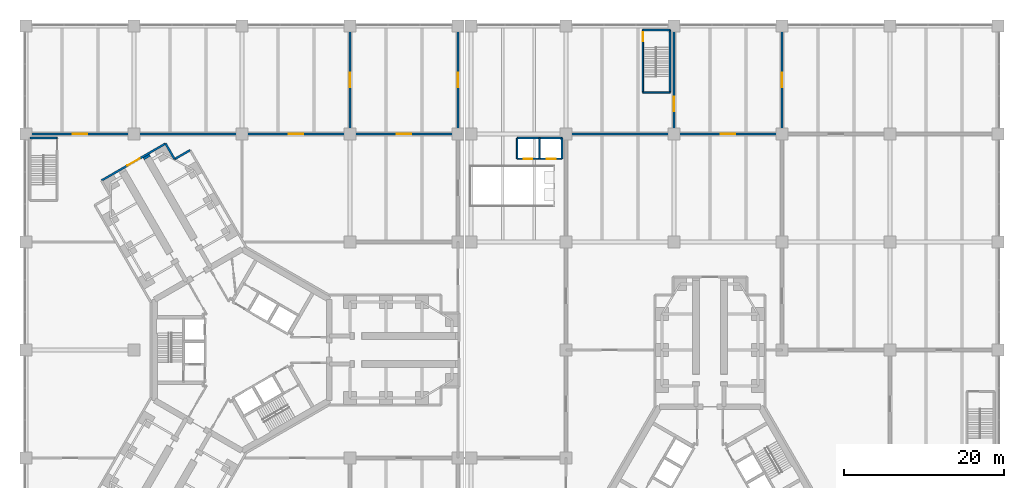
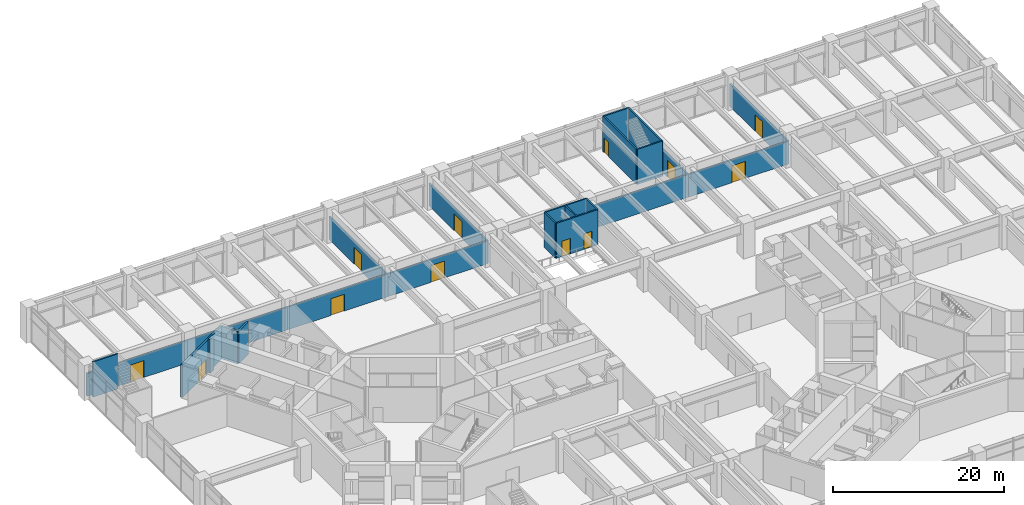
# One storey, part 28 of 31: 24 walls, 12 doors, 12 openings.
"""IFC4 building model written with IfcOpenShell, lengths in metres."""

import ifcopenshell
import ifcopenshell.guid

model = None  # the IFC model being written
_history = None  # IfcOwnerHistory: only IFC2X3 demands one
_inside = {}  # id of a spatial element -> (the spatial element, [elements in it])
_under = {}  # id of a project, library or spatial element -> (it, [spatial elements below it])
_declared = {}  # id of a project -> (the project, [libraries it declares])
_typed = {}  # id of a type object -> (the type object, [elements of that type])
_made_of = {}  # id of a material, layer set ... -> (it, [elements and type objects made of it])


def new_model(schema):
    """Start an empty IFC model of exactly this schema.

    Asked for "IFC4X3", IfcOpenShell would pick the latest addendum, in which some entities
    have other attributes; the version numbers below select the first issue.
    IFC2X3 requires an IfcOwnerHistory on every rooted entity: one is made here for all.
    """
    global model, _history
    if schema == "IFC4X3":
        model = ifcopenshell.file(schema_version=(4, 3, 0, 0))
    else:
        model = ifcopenshell.file(schema=schema)
    _inside.clear()
    _under.clear()
    _declared.clear()
    _typed.clear()
    _made_of.clear()
    _history = None
    if model.schema == "IFC2X3":
        org = make("IfcOrganization", Name="unknown")
        user = make(
            "IfcPersonAndOrganization",
            ThePerson=make("IfcPerson", FamilyName="unknown"),
            TheOrganization=org,
        )
        app = make(
            "IfcApplication",
            ApplicationDeveloper=org,
            Version="unknown",
            ApplicationFullName="unknown",
            ApplicationIdentifier="unknown",
        )
        _history = make(
            "IfcOwnerHistory",
            OwningUser=user,
            OwningApplication=app,
            ChangeAction="ADDED",
            CreationDate=0,
        )
    return model


def make(cls, **values):
    """One entity of the class cls with the attributes given. An attribute that is None is left unset."""
    return model.create_entity(
        cls, **{name: value for name, value in values.items() if value is not None}
    )


def rooted(cls, **values):
    """An entity with a GlobalId (a new one), such as an element, a storey or a relation."""
    return make(cls, GlobalId=ifcopenshell.guid.new(), OwnerHistory=_history, **values)


def si_unit(unit_type, name, prefix=None):
    """IfcSIUnit, for example si_unit("LENGTHUNIT", "METRE", prefix="MILLI")."""
    return make("IfcSIUnit", UnitType=unit_type, Prefix=prefix, Name=name)


def assignment(units):
    """IfcUnitAssignment: the units of a project."""
    return None if units is None else make("IfcUnitAssignment", Units=units)


def point(xyz):
    """IfcCartesianPoint."""
    return None if xyz is None else make("IfcCartesianPoint", Coordinates=xyz)


def direction(xyz):
    """IfcDirection."""
    return None if xyz is None else make("IfcDirection", DirectionRatios=xyz)


def frame(location, z_axis=None, x_axis=None):
    """IfcAxis2Placement3D, a coordinate frame: its origin and axes. An axis left out is left unset."""
    return make(
        "IfcAxis2Placement3D",
        Location=point(location),
        Axis=direction(z_axis),
        RefDirection=direction(x_axis),
    )


def frame_2d(location, x_axis=None):
    """IfcAxis2Placement2D, a coordinate frame in the plane: its origin and x axis."""
    return make(
        "IfcAxis2Placement2D", Location=point(location), RefDirection=direction(x_axis)
    )


def origin():
    """The frame at (0, 0, 0) with its axes left unset."""
    return frame((0.0, 0.0, 0.0))


def place(relative_to, where):
    """IfcLocalPlacement: puts the frame where relative to a parent placement (None: the world)."""
    return make(
        "IfcLocalPlacement", PlacementRelTo=relative_to, RelativePlacement=where
    )


def context(
    kind, dimensions, precision=None, world=None, true_north=None, identifier=None
):
    """IfcGeometricRepresentationContext, for example the 3D "Model" context."""
    return make(
        "IfcGeometricRepresentationContext",
        ContextIdentifier=identifier,
        ContextType=kind,
        CoordinateSpaceDimension=dimensions,
        Precision=precision,
        WorldCoordinateSystem=world,
        TrueNorth=true_north,
    )


def subcontext(parent, identifier, kind, view, scale=None):
    """IfcGeometricRepresentationSubContext, for example "Body" below "Model"."""
    return make(
        "IfcGeometricRepresentationSubContext",
        ContextIdentifier=identifier,
        ContextType=kind,
        ParentContext=parent,
        TargetScale=scale,
        TargetView=view,
    )


def project(units=None, contexts=None):
    """IfcProject with its units and contexts."""
    return rooted(
        "IfcProject",
        Name="project",
        RepresentationContexts=contexts,
        UnitsInContext=assignment(units),
    )


def spatial(cls, under=None, at=None, **own):
    """A site, building, storey or space (cls), placed at a placement, below another one or the project."""
    s = rooted(cls, ObjectPlacement=at, **own)
    if under is not None:
        _under.setdefault(under.id(), (under, []))[1].append(s)
    return s


def profile(cls, at=None, kind="AREA", **sizes):
    """A parametric profile (cls). Its sizes go by their IFC names, for example OverallWidth=200.0."""
    return make(cls, ProfileType=kind, Position=at, **sizes)


def rectangle(**sizes):
    """IfcRectangleProfileDef."""
    return profile("IfcRectangleProfileDef", **sizes)


def extrude(swept, where, along, depth):
    """IfcExtrudedAreaSolid: the profile swept, set in the frame where, extruded along a direction by depth."""
    return make(
        "IfcExtrudedAreaSolid",
        SweptArea=swept,
        Position=where,
        ExtrudedDirection=direction(along),
        Depth=depth,
    )


def shape(context_of_items, identifier, shape_type, items):
    """IfcShapeRepresentation: the items that make up one representation, for example the "Body"."""
    return make(
        "IfcShapeRepresentation",
        ContextOfItems=context_of_items,
        RepresentationIdentifier=identifier,
        RepresentationType=shape_type,
        Items=items,
    )


def material(Name=None, Category=None):
    """IfcMaterial."""
    return make("IfcMaterial", Name=Name, Category=Category)


def layer(
    of_material, thickness, ventilated=None, Name=None, Category=None, Priority=None
):
    """IfcMaterialLayer: one layer of a wall or slab, of a material (None: an air gap)."""
    return make(
        "IfcMaterialLayer",
        Material=of_material,
        LayerThickness=thickness,
        IsVentilated=ventilated,
        Name=Name,
        Category=Category,
        Priority=Priority,
    )


def layer_set(layers, Name=None):
    """IfcMaterialLayerSet."""
    return make("IfcMaterialLayerSet", MaterialLayers=layers, LayerSetName=Name)


def made_of(thing, what):
    """Note that an element or type object is made of a material, layer set ...; save() writes the relation."""
    if what is not None:
        _made_of.setdefault(what.id(), (what, []))[1].append(thing)
    return thing


def type_object(cls, material=None, **own):
    """A type object (cls), such as IfcWallType, which elements share."""
    return made_of(rooted(cls, **own), material)


def element(
    cls,
    number,
    at=None,
    inside=None,
    cuts=None,
    type_object=None,
    material=None,
    context=None,
    identifier="Body",
    shape_type=None,
    held_by="IfcProductDefinitionShape",
    body=None,
    shapes=None,
    **own,
):
    """One element of the class cls, such as IfcWall. Its Tag is "e" and its number.

    at: its placement. inside: the storey or other place that contains it. cuts: it is an
    opening in that element (IfcRelVoidsElement). A single representation is given by context,
    identifier, shape_type and body (its items); several are given by shapes. held_by: the class
    of the entity that holds the representations. save() writes the other relations.
    """
    e = rooted(cls, Tag="e%d" % number, ObjectPlacement=at, **own)
    if body is not None:
        shapes = [shape(context, identifier, shape_type, body)]
    if shapes is not None:
        e.Representation = make(held_by, Representations=shapes)
    if inside is not None:
        _inside.setdefault(inside.id(), (inside, []))[1].append(e)
    if cuts is not None:
        rooted(
            "IfcRelVoidsElement", RelatingBuildingElement=cuts, RelatedOpeningElement=e
        )
    if type_object is not None:
        _typed.setdefault(type_object.id(), (type_object, []))[1].append(e)
    return made_of(e, material)


def fill(opening, filler):
    """IfcRelFillsElement: the door or window that sits in an opening."""
    return rooted(
        "IfcRelFillsElement",
        RelatingOpeningElement=opening,
        RelatedBuildingElement=filler,
    )


def aggregate(whole, parts):
    """IfcRelAggregates: a whole, such as a stair, and the parts it consists of."""
    return rooted("IfcRelAggregates", RelatingObject=whole, RelatedObjects=parts)


def save(model, path):
    """Write the relations noted so far, then the file.

    IfcRelAggregates (storeys below a building ...), IfcRelContainedInSpatialStructure (elements
    in a storey), IfcRelDefinesByType, IfcRelAssociatesMaterial and IfcRelDeclares: one each for
    every whole, place, type object, material and project.
    """
    for whole, parts in _under.values():
        aggregate(whole, parts)
    for where, things in _inside.values():
        rooted(
            "IfcRelContainedInSpatialStructure",
            RelatedElements=things,
            RelatingStructure=where,
        )
    for kind, things in _typed.values():
        rooted("IfcRelDefinesByType", RelatedObjects=things, RelatingType=kind)
    for what, things in _made_of.values():
        rooted("IfcRelAssociatesMaterial", RelatedObjects=things, RelatingMaterial=what)
    for by, libraries in _declared.values():
        rooted("IfcRelDeclares", RelatingContext=by, RelatedDefinitions=libraries)
    model.write(path)


model = new_model("IFC4")

# Units and contexts
model_context = context("Model", 3, precision=1e-05, world=origin(), true_north=direction((0.0, 1.0)))
body_context = subcontext(model_context, "Body", "Model", "MODEL_VIEW")
ifc_project = project(units=[si_unit("LENGTHUNIT", "METRE"), si_unit("AREAUNIT", "SQUARE_METRE"), si_unit("VOLUMEUNIT", "CUBIC_METRE"), si_unit("PLANEANGLEUNIT", "RADIAN"), si_unit("MASSUNIT", "GRAM", prefix="KILO")], contexts=[model_context])

# Site, building, storey
site_placement = place(None, origin())
site = spatial("IfcSite", under=ifc_project, at=site_placement, CompositionType="ELEMENT")
building_placement = place(site_placement, origin())
building = spatial("IfcBuilding", under=site, at=building_placement, Name="Upepo Twin Towers", CompositionType="ELEMENT")
storey_placement = place(building_placement, frame((0.0, 0.0, 15.5)))
storey = spatial("IfcBuildingStorey", under=building, at=storey_placement, Name="L03", CompositionType="ELEMENT", Elevation=15.5)

# Wall
ifc_material_1 = material(Name="Dense concrete blockwork", Category="masonry")
ifc_layer_1 = layer(ifc_material_1, 0.89990234375)
ifc_layer_set_1 = layer_set([ifc_layer_1], Name="Buttress closer 900, blockwork with fire-stopping to the curtain wall")
wall_type_1 = type_object("IfcWallType", Name="Buttress closer 900, blockwork with fire-stopping to the curtain wall", PredefinedType="PARTITIONING", material=ifc_layer_set_1)
wall_1_placement = place(storey_placement, frame((-11.83447265625, 23.997802734375, 0.0), z_axis=(0.0, 0.0, 1.0), x_axis=(-0.499816412211, 0.866131372301, 0.0)))
element("IfcWall", 1, at=wall_1_placement, inside=storey, type_object=wall_type_1, Name="T1 L03 wing B buttress closer R", PredefinedType="PARTITIONING", context=body_context, shape_type="SweptSolid", body=[
    extrude(rectangle(XDim=0.2998046875, YDim=0.89990234375, at=frame_2d((0.14990234375, 0.0))), origin(), (0.0, 0.0, 1.0), 4.800048828125),
])

# Wall, openings, doors
ifc_material_2 = material(Name="Concrete C40/50", Category="concrete")
ifc_layer_2 = layer(ifc_material_2, 0.199951171875)
ifc_layer_set_2 = layer_set([ifc_layer_2], Name="Concrete C40/50")
wall_type_2 = type_object("IfcWallType", Name="Podium lift shaft wall 200 RC", PredefinedType="SHEAR", material=ifc_layer_set_2)
wall_2_placement = place(storey_placement, frame((34.39990234375, 23.89990234375, 0.0), z_axis=(0.0, 0.0, 1.0), x_axis=(1.0, 0.0, 0.0)))
wall_2 = element("IfcWall", 2, at=wall_2_placement, inside=storey, type_object=wall_type_2, Name="Podium lift shaft L03 wall 1", PredefinedType="SHEAR", context=body_context, shape_type="SweptSolid", body=[
    extrude(rectangle(XDim=5.60009765625, YDim=0.199951171875, at=frame_2d((2.800048828125, 0.0))), origin(), (0.0, 0.0, 1.0), 5.0),
])
opening_1_placement = place(wall_2_placement, frame((3.699951171875, 0.0, 0.0)))
opening_1 = element("IfcOpeningElement", 3, at=opening_1_placement, cuts=wall_2, Name="Opening LD1", PredefinedType="OPENING", context=body_context, shape_type="SweptSolid", body=[
    extrude(rectangle(XDim=1.10009765625, YDim=2.199951171875, at=frame_2d((0.550048828125, 1.10009765625))), frame((0.0, 0.10986328125, 0.0), z_axis=(0.0, -1.0, 0.0), x_axis=(1.0, 0.0, 0.0)), (0.0, 0.0, 1.0), 0.219970703125),
])
opening_2_placement = place(wall_2_placement, frame((0.800048828125, 0.0, 0.0)))
opening_2 = element("IfcOpeningElement", 4, at=opening_2_placement, cuts=wall_2, Name="Opening LD1", PredefinedType="OPENING", context=body_context, shape_type="SweptSolid", body=[
    extrude(rectangle(XDim=1.10009765625, YDim=2.199951171875, at=frame_2d((0.550048828125, 1.10009765625))), frame((0.0, 0.10986328125, 0.0), z_axis=(0.0, -1.0, 0.0), x_axis=(1.0, 0.0, 0.0)), (0.0, 0.0, 1.0), 0.219970703125),
])
ifc_material_3 = material(Name="Steel doorset", Category="steel")
door_type_1 = type_object("IfcDoorType", Name="Lift landing door 1100", OperationType="DOUBLE_DOOR_SLIDING", PredefinedType="DOOR", material=ifc_material_3)
door_1_placement = place(opening_1_placement, origin())
door_1 = element("IfcDoor", 5, at=door_1_placement, inside=storey, type_object=door_type_1, Name="Podium L03 lift PL1 landing door", OperationType="DOUBLE_DOOR_SLIDING", OverallHeight=2.199951171875, OverallWidth=1.10009765625, PredefinedType="DOOR", context=body_context, shape_type="SweptSolid", body=[
    extrude(rectangle(XDim=1.10009765625, YDim=2.199951171875, at=frame_2d((0.550048828125, 1.10009765625))), frame((0.0, 0.02490234375, 0.0), z_axis=(0.0, -1.0, 0.0), x_axis=(1.0, 0.0, 0.0)), (0.0, 0.0, 1.0), 0.050048828125),
])
fill(opening_1, door_1)
door_2_placement = place(opening_2_placement, origin())
door_2 = element("IfcDoor", 6, at=door_2_placement, inside=storey, type_object=door_type_1, Name="Podium L03 lift PL2 landing door", OperationType="DOUBLE_DOOR_SLIDING", OverallHeight=2.199951171875, OverallWidth=1.10009765625, PredefinedType="DOOR", context=body_context, shape_type="SweptSolid", body=[
    extrude(rectangle(XDim=1.10009765625, YDim=2.199951171875, at=frame_2d((0.550048828125, 1.10009765625))), frame((0.0, 0.02490234375, 0.0), z_axis=(0.0, -1.0, 0.0), x_axis=(1.0, 0.0, 0.0)), (0.0, 0.0, 1.0), 0.050048828125),
])
fill(opening_2, door_2)

# Walls
wall_3_placement = place(storey_placement, frame((40.0, 23.89990234375, 0.0), z_axis=(0.0, 0.0, 1.0), x_axis=(0.0, 1.0, 0.0)))
element("IfcWall", 7, at=wall_3_placement, inside=storey, type_object=wall_type_2, Name="Podium lift shaft L03 wall 2", PredefinedType="SHEAR", context=body_context, shape_type="SweptSolid", body=[
    extrude(rectangle(XDim=2.60009765625, YDim=0.199951171875, at=frame_2d((1.300048828125, 0.0))), origin(), (0.0, 0.0, 1.0), 5.0),
])
wall_4_placement = place(storey_placement, frame((40.0, 26.5, 0.0), z_axis=(0.0, 0.0, 1.0), x_axis=(-1.0, 0.0, 0.0)))
element("IfcWall", 8, at=wall_4_placement, inside=storey, type_object=wall_type_2, Name="Podium lift shaft L03 wall 3", PredefinedType="SHEAR", context=body_context, shape_type="SweptSolid", body=[
    extrude(rectangle(XDim=5.60009765625, YDim=0.199951171875, at=frame_2d((2.800048828125, 0.0))), origin(), (0.0, 0.0, 1.0), 5.0),
])
for number, where, z_axis, x_axis, name in (
    (9, (34.39990234375, 26.5, 0.0), (0.0, 0.0, 1.0), (0.0, -1.0, 0.0), "Podium lift shaft L03 wall 4"),
    (10, (37.199951171875, 23.89990234375, 0.0), (0.0, 0.0, 1.0), (0.0, 1.0, 0.0), "Podium lift shaft L03 wall 5"),
):
    element("IfcWall", number, at=place(storey_placement, frame(where, z_axis=z_axis, x_axis=x_axis)), inside=storey, type_object=wall_type_2, Name=name, PredefinedType="SHEAR", context=body_context, shape_type="SweptSolid", body=[
        extrude(rectangle(XDim=2.60009765625, YDim=0.199951171875, at=frame_2d((1.300048828125, 0.0))), origin(), (0.0, 0.0, 1.0), 5.0),
    ])

# Wall, opening, door
ifc_material_4 = material(Name="Concrete blockwork", Category="masonry")
ifc_layer_3 = layer(ifc_material_4, 0.199951171875)
ifc_layer_set_3 = layer_set([ifc_layer_3], Name="Podium partition 200 blockwork")
wall_type_3 = type_object("IfcWallType", Name="Podium partition 200 blockwork", PredefinedType="PARTITIONING", material=ifc_layer_set_3)
wall_5_placement = place(storey_placement, frame((-27.0, 27.0, 0.0), z_axis=(0.0, 0.0, 1.0), x_axis=(1.0, 0.0, 0.0)))
wall_5 = element("IfcWall", 11, at=wall_5_placement, inside=storey, type_object=wall_type_3, Name="L03 podium wall Y05", PredefinedType="PARTITIONING", context=body_context, shape_type="SweptSolid", body=[
    extrude(rectangle(XDim=13.5, YDim=0.199951171875, at=frame_2d((6.75, 0.0))), origin(), (0.0, 0.0, 1.0), 3.25),
])
opening_3_placement = place(wall_5_placement, frame((5.85009765625, 0.0, 0.0)))
opening_3 = element("IfcOpeningElement", 12, at=opening_3_placement, cuts=wall_5, Name="Opening D10", PredefinedType="OPENING", context=body_context, shape_type="SweptSolid", body=[
    extrude(rectangle(XDim=1.800048828125, YDim=2.39990234375, at=frame_2d((0.89990234375, 1.199951171875))), frame((0.0, 0.10986328125, 0.0), z_axis=(0.0, -1.0, 0.0), x_axis=(1.0, 0.0, 0.0)), (0.0, 0.0, 1.0), 0.219970703125),
])
ifc_material_5 = material(Name="Timber doorset", Category="wood")
door_type_2 = type_object("IfcDoorType", Name="Podium double door 1800", OperationType="DOUBLE_DOOR_DOUBLE_SWING", PredefinedType="DOOR", material=ifc_material_5)
door_3_placement = place(opening_3_placement, origin())
door_3 = element("IfcDoor", 13, at=door_3_placement, inside=storey, type_object=door_type_2, Name="L03 student union offices door", OperationType="DOUBLE_DOOR_DOUBLE_SWING", OverallHeight=2.39990234375, OverallWidth=1.800048828125, PredefinedType="DOOR", context=body_context, shape_type="SweptSolid", body=[
    extrude(rectangle(XDim=1.800048828125, YDim=2.39990234375, at=frame_2d((0.89990234375, 1.199951171875))), frame((0.0, 0.02490234375, 0.0), z_axis=(0.0, -1.0, 0.0), x_axis=(1.0, 0.0, 0.0)), (0.0, 0.0, 1.0), 0.050048828125),
])
fill(opening_3, door_3)

# Wall
wall_6_placement = place(storey_placement, frame((-13.5, 27.0, 0.0), z_axis=(0.0, 0.0, 1.0), x_axis=(1.0, 0.0, 0.0)))
element("IfcWall", 14, at=wall_6_placement, inside=storey, type_object=wall_type_3, Name="L03 podium wall Y15", PredefinedType="PARTITIONING", context=body_context, shape_type="SweptSolid", body=[
    extrude(rectangle(XDim=13.5, YDim=0.199951171875, at=frame_2d((6.75, 0.0))), origin(), (0.0, 0.0, 1.0), 3.25),
])

# Wall, opening, door
wall_7_placement = place(storey_placement, frame((0.0, 27.0, 0.0), z_axis=(0.0, 0.0, 1.0), x_axis=(1.0, 0.0, 0.0)))
wall_7 = element("IfcWall", 15, at=wall_7_placement, inside=storey, type_object=wall_type_3, Name="L03 podium wall Y25", PredefinedType="PARTITIONING", context=body_context, shape_type="SweptSolid", body=[
    extrude(rectangle(XDim=13.5, YDim=0.199951171875, at=frame_2d((6.75, 0.0))), origin(), (0.0, 0.0, 1.0), 3.25),
])
opening_4_placement = place(wall_7_placement, frame((5.85009765625, 0.0, 0.0)))
opening_4 = element("IfcOpeningElement", 16, at=opening_4_placement, cuts=wall_7, Name="Opening D10", PredefinedType="OPENING", context=body_context, shape_type="SweptSolid", body=[
    extrude(rectangle(XDim=1.800048828125, YDim=2.39990234375, at=frame_2d((0.89990234375, 1.199951171875))), frame((0.0, 0.10986328125, 0.0), z_axis=(0.0, -1.0, 0.0), x_axis=(1.0, 0.0, 0.0)), (0.0, 0.0, 1.0), 0.219970703125),
])
door_4_placement = place(opening_4_placement, origin())
door_4 = element("IfcDoor", 17, at=door_4_placement, inside=storey, type_object=door_type_2, Name="L03 staff offices 3.02-student union offices door", OperationType="DOUBLE_DOOR_DOUBLE_SWING", OverallHeight=2.39990234375, OverallWidth=1.800048828125, PredefinedType="DOOR", context=body_context, shape_type="SweptSolid", body=[
    extrude(rectangle(XDim=1.800048828125, YDim=2.39990234375, at=frame_2d((0.89990234375, 1.199951171875))), frame((0.0, 0.02490234375, 0.0), z_axis=(0.0, -1.0, 0.0), x_axis=(1.0, 0.0, 0.0)), (0.0, 0.0, 1.0), 0.050048828125),
])
fill(opening_4, door_4)

wall_8_placement = place(storey_placement, frame((13.5, 27.0, 0.0), z_axis=(0.0, 0.0, 1.0), x_axis=(0.0, 1.0, 0.0)))
wall_8 = element("IfcWall", 18, at=wall_8_placement, inside=storey, type_object=wall_type_3, Name="L03 podium wall X35", PredefinedType="PARTITIONING", context=body_context, shape_type="SweptSolid", body=[
    extrude(rectangle(XDim=13.5, YDim=0.199951171875, at=frame_2d((6.75, 0.0))), origin(), (0.0, 0.0, 1.0), 3.25),
])
opening_5_placement = place(wall_8_placement, frame((5.85009765625, 0.0, 0.0)))
opening_5 = element("IfcOpeningElement", 19, at=opening_5_placement, cuts=wall_8, Name="Opening D10", PredefinedType="OPENING", context=body_context, shape_type="SweptSolid", body=[
    extrude(rectangle(XDim=1.800048828125, YDim=2.39990234375, at=frame_2d((0.89990234375, 1.199951171875))), frame((0.0, 0.10986328125, 0.0), z_axis=(0.0, -1.0, 0.0), x_axis=(1.0, 0.0, 0.0)), (0.0, 0.0, 1.0), 0.219970703125),
])
door_5_placement = place(opening_5_placement, origin())
door_5 = element("IfcDoor", 20, at=door_5_placement, inside=storey, type_object=door_type_2, Name="L03 student union offices-staff offices 3.03 door", OperationType="DOUBLE_DOOR_DOUBLE_SWING", OverallHeight=2.39990234375, OverallWidth=1.800048828125, PredefinedType="DOOR", context=body_context, shape_type="SweptSolid", body=[
    extrude(rectangle(XDim=1.800048828125, YDim=2.39990234375, at=frame_2d((0.89990234375, 1.199951171875))), frame((0.0, 0.02490234375, 0.0), z_axis=(0.0, -1.0, 0.0), x_axis=(1.0, 0.0, 0.0)), (0.0, 0.0, 1.0), 0.050048828125),
])
fill(opening_5, door_5)

wall_9_placement = place(storey_placement, frame((13.5, 27.0, 0.0), z_axis=(0.0, 0.0, 1.0), x_axis=(1.0, 0.0, 0.0)))
wall_9 = element("IfcWall", 21, at=wall_9_placement, inside=storey, type_object=wall_type_3, Name="L03 podium wall Y35", PredefinedType="PARTITIONING", context=body_context, shape_type="SweptSolid", body=[
    extrude(rectangle(XDim=13.5, YDim=0.199951171875, at=frame_2d((6.75, 0.0))), origin(), (0.0, 0.0, 1.0), 3.25),
])
opening_6_placement = place(wall_9_placement, frame((5.85009765625, 0.0, 0.0)))
opening_6 = element("IfcOpeningElement", 22, at=opening_6_placement, cuts=wall_9, Name="Opening D10", PredefinedType="OPENING", context=body_context, shape_type="SweptSolid", body=[
    extrude(rectangle(XDim=1.800048828125, YDim=2.39990234375, at=frame_2d((0.89990234375, 1.199951171875))), frame((0.0, 0.10986328125, 0.0), z_axis=(0.0, -1.0, 0.0), x_axis=(1.0, 0.0, 0.0)), (0.0, 0.0, 1.0), 0.219970703125),
])
door_6_placement = place(opening_6_placement, origin())
door_6 = element("IfcDoor", 23, at=door_6_placement, inside=storey, type_object=door_type_2, Name="L03 staff offices 3.02-staff offices 3.03 door", OperationType="DOUBLE_DOOR_DOUBLE_SWING", OverallHeight=2.39990234375, OverallWidth=1.800048828125, PredefinedType="DOOR", context=body_context, shape_type="SweptSolid", body=[
    extrude(rectangle(XDim=1.800048828125, YDim=2.39990234375, at=frame_2d((0.89990234375, 1.199951171875))), frame((0.0, 0.02490234375, 0.0), z_axis=(0.0, -1.0, 0.0), x_axis=(1.0, 0.0, 0.0)), (0.0, 0.0, 1.0), 0.050048828125),
])
fill(opening_6, door_6)

wall_10_placement = place(storey_placement, frame((27.0, 27.0, 0.0), z_axis=(0.0, 0.0, 1.0), x_axis=(0.0, 1.0, 0.0)))
wall_10 = element("IfcWall", 24, at=wall_10_placement, inside=storey, type_object=wall_type_3, Name="L03 podium wall X45", PredefinedType="PARTITIONING", context=body_context, shape_type="SweptSolid", body=[
    extrude(rectangle(XDim=13.5, YDim=0.199951171875, at=frame_2d((6.75, 0.0))), origin(), (0.0, 0.0, 1.0), 3.25),
])
opening_7_placement = place(wall_10_placement, frame((5.85009765625, 0.0, 0.0)))
opening_7 = element("IfcOpeningElement", 25, at=opening_7_placement, cuts=wall_10, Name="Opening D10", PredefinedType="OPENING", context=body_context, shape_type="SweptSolid", body=[
    extrude(rectangle(XDim=1.800048828125, YDim=2.39990234375, at=frame_2d((0.89990234375, 1.199951171875))), frame((0.0, 0.10986328125, 0.0), z_axis=(0.0, -1.0, 0.0), x_axis=(1.0, 0.0, 0.0)), (0.0, 0.0, 1.0), 0.219970703125),
])
door_7_placement = place(opening_7_placement, origin())
door_7 = element("IfcDoor", 26, at=door_7_placement, inside=storey, type_object=door_type_2, Name="L03 staff offices 3.03 door", OperationType="DOUBLE_DOOR_DOUBLE_SWING", OverallHeight=2.39990234375, OverallWidth=1.800048828125, PredefinedType="DOOR", context=body_context, shape_type="SweptSolid", body=[
    extrude(rectangle(XDim=1.800048828125, YDim=2.39990234375, at=frame_2d((0.89990234375, 1.199951171875))), frame((0.0, 0.02490234375, 0.0), z_axis=(0.0, -1.0, 0.0), x_axis=(1.0, 0.0, 0.0)), (0.0, 0.0, 1.0), 0.050048828125),
])
fill(opening_7, door_7)

# Wall
wall_11_placement = place(storey_placement, frame((40.5, 27.0, 0.0), z_axis=(0.0, 0.0, 1.0), x_axis=(1.0, 0.0, 0.0)))
element("IfcWall", 27, at=wall_11_placement, inside=storey, type_object=wall_type_3, Name="L03 podium wall Y55", PredefinedType="PARTITIONING", context=body_context, shape_type="SweptSolid", body=[
    extrude(rectangle(XDim=13.5, YDim=0.199951171875, at=frame_2d((6.75, 0.0))), origin(), (0.0, 0.0, 1.0), 3.25),
])

# Wall, opening, door
wall_12_placement = place(storey_placement, frame((54.0, 27.0, 0.0), z_axis=(0.0, 0.0, 1.0), x_axis=(0.0, 1.0, 0.0)))
wall_12 = element("IfcWall", 28, at=wall_12_placement, inside=storey, type_object=wall_type_3, Name="L03 podium wall X65", PredefinedType="PARTITIONING", context=body_context, shape_type="SweptSolid", body=[
    extrude(rectangle(XDim=13.5, YDim=0.199951171875, at=frame_2d((6.75, 0.0))), origin(), (0.0, 0.0, 1.0), 3.25),
])
opening_8_placement = place(wall_12_placement, frame((2.85009765625, 0.0, 0.0)))
opening_8 = element("IfcOpeningElement", 29, at=opening_8_placement, cuts=wall_12, Name="Opening D10", PredefinedType="OPENING", context=body_context, shape_type="SweptSolid", body=[
    extrude(rectangle(XDim=1.800048828125, YDim=2.39990234375, at=frame_2d((0.89990234375, 1.199951171875))), frame((0.0, 0.10986328125, 0.0), z_axis=(0.0, -1.0, 0.0), x_axis=(1.0, 0.0, 0.0)), (0.0, 0.0, 1.0), 0.219970703125),
])
door_8_placement = place(opening_8_placement, origin())
door_8 = element("IfcDoor", 30, at=door_8_placement, inside=storey, type_object=door_type_2, Name="L03 dance studio door", OperationType="DOUBLE_DOOR_DOUBLE_SWING", OverallHeight=2.39990234375, OverallWidth=1.800048828125, PredefinedType="DOOR", context=body_context, shape_type="SweptSolid", body=[
    extrude(rectangle(XDim=1.800048828125, YDim=2.39990234375, at=frame_2d((0.89990234375, 1.199951171875))), frame((0.0, 0.02490234375, 0.0), z_axis=(0.0, -1.0, 0.0), x_axis=(1.0, 0.0, 0.0)), (0.0, 0.0, 1.0), 0.050048828125),
])
fill(opening_8, door_8)

wall_13_placement = place(storey_placement, frame((54.0, 27.0, 0.0), z_axis=(0.0, 0.0, 1.0), x_axis=(1.0, 0.0, 0.0)))
wall_13 = element("IfcWall", 31, at=wall_13_placement, inside=storey, type_object=wall_type_3, Name="L03 podium wall Y65", PredefinedType="PARTITIONING", context=body_context, shape_type="SweptSolid", body=[
    extrude(rectangle(XDim=13.5, YDim=0.199951171875, at=frame_2d((6.75, 0.0))), origin(), (0.0, 0.0, 1.0), 3.25),
])
opening_9_placement = place(wall_13_placement, frame((5.85009765625, 0.0, 0.0)))
opening_9 = element("IfcOpeningElement", 32, at=opening_9_placement, cuts=wall_13, Name="Opening D10", PredefinedType="OPENING", context=body_context, shape_type="SweptSolid", body=[
    extrude(rectangle(XDim=1.800048828125, YDim=2.39990234375, at=frame_2d((0.89990234375, 1.199951171875))), frame((0.0, 0.10986328125, 0.0), z_axis=(0.0, -1.0, 0.0), x_axis=(1.0, 0.0, 0.0)), (0.0, 0.0, 1.0), 0.219970703125),
])
door_9_placement = place(opening_9_placement, origin())
door_9 = element("IfcDoor", 33, at=door_9_placement, inside=storey, type_object=door_type_2, Name="L03 fitness and sports studio-dance studio door", OperationType="DOUBLE_DOOR_DOUBLE_SWING", OverallHeight=2.39990234375, OverallWidth=1.800048828125, PredefinedType="DOOR", context=body_context, shape_type="SweptSolid", body=[
    extrude(rectangle(XDim=1.800048828125, YDim=2.39990234375, at=frame_2d((0.89990234375, 1.199951171875))), frame((0.0, 0.02490234375, 0.0), z_axis=(0.0, -1.0, 0.0), x_axis=(1.0, 0.0, 0.0)), (0.0, 0.0, 1.0), 0.050048828125),
])
fill(opening_9, door_9)

wall_14_placement = place(storey_placement, frame((67.5, 27.0, 0.0), z_axis=(0.0, 0.0, 1.0), x_axis=(0.0, 1.0, 0.0)))
wall_14 = element("IfcWall", 34, at=wall_14_placement, inside=storey, type_object=wall_type_3, Name="L03 podium wall X75", PredefinedType="PARTITIONING", context=body_context, shape_type="SweptSolid", body=[
    extrude(rectangle(XDim=13.5, YDim=0.199951171875, at=frame_2d((6.75, 0.0))), origin(), (0.0, 0.0, 1.0), 3.25),
])
opening_10_placement = place(wall_14_placement, frame((5.85009765625, 0.0, 0.0)))
opening_10 = element("IfcOpeningElement", 35, at=opening_10_placement, cuts=wall_14, Name="Opening D10", PredefinedType="OPENING", context=body_context, shape_type="SweptSolid", body=[
    extrude(rectangle(XDim=1.800048828125, YDim=2.39990234375, at=frame_2d((0.89990234375, 1.199951171875))), frame((0.0, 0.10986328125, 0.0), z_axis=(0.0, -1.0, 0.0), x_axis=(1.0, 0.0, 0.0)), (0.0, 0.0, 1.0), 0.219970703125),
])
door_10_placement = place(opening_10_placement, origin())
door_10 = element("IfcDoor", 36, at=door_10_placement, inside=storey, type_object=door_type_2, Name="L03 dance studio-podium plant room door", OperationType="DOUBLE_DOOR_DOUBLE_SWING", OverallHeight=2.39990234375, OverallWidth=1.800048828125, PredefinedType="DOOR", context=body_context, shape_type="SweptSolid", body=[
    extrude(rectangle(XDim=1.800048828125, YDim=2.39990234375, at=frame_2d((0.89990234375, 1.199951171875))), frame((0.0, 0.02490234375, 0.0), z_axis=(0.0, -1.0, 0.0), x_axis=(1.0, 0.0, 0.0)), (0.0, 0.0, 1.0), 0.050048828125),
])
fill(opening_10, door_10)

# Walls
ifc_material_6 = material(Name="Concrete C40/50", Category="concrete")
ifc_layer_4 = layer(ifc_material_6, 0.199951171875)
ifc_layer_set_4 = layer_set([ifc_layer_4], Name="Concrete C40/50")
wall_type_4 = type_object("IfcWallType", Name="Podium stair enclosure 200 RC", PredefinedType="SHEAR", material=ifc_layer_set_4)
for number, where, z_axis, x_axis, name in (
    (37, (-23.10009765625, 26.5, 0.0), (0.0, 0.0, 1.0), (-1.0, 0.0, 0.0), "PS1 L03 enclosure wall 3"),
    (38, (50.10009765625, 32.199951171875, 0.0), (0.0, 0.0, 1.0), (1.0, 0.0, 0.0), "PS4 L03 enclosure wall 1"),
):
    element("IfcWall", number, at=place(storey_placement, frame(where, z_axis=z_axis, x_axis=x_axis)), inside=storey, type_object=wall_type_4, Name=name, PredefinedType="SHEAR", context=body_context, shape_type="SweptSolid", body=[
        extrude(rectangle(XDim=3.39990234375, YDim=0.199951171875, at=frame_2d((1.699951171875, 0.0))), origin(), (0.0, 0.0, 1.0), 5.0),
    ])
wall_15_placement = place(storey_placement, frame((53.5, 32.199951171875, 0.0), z_axis=(0.0, 0.0, 1.0), x_axis=(0.0, 1.0, 0.0)))
element("IfcWall", 39, at=wall_15_placement, inside=storey, type_object=wall_type_4, Name="PS4 L03 enclosure wall 2", PredefinedType="SHEAR", context=body_context, shape_type="SweptSolid", body=[
    extrude(rectangle(XDim=7.800048828125, YDim=0.199951171875, at=frame_2d((3.89990234375, 0.0))), origin(), (0.0, 0.0, 1.0), 5.0),
])
wall_16_placement = place(storey_placement, frame((53.5, 40.0, 0.0), z_axis=(0.0, 0.0, 1.0), x_axis=(-1.0, 0.0, 0.0)))
element("IfcWall", 40, at=wall_16_placement, inside=storey, type_object=wall_type_4, Name="PS4 L03 enclosure wall 3", PredefinedType="SHEAR", context=body_context, shape_type="SweptSolid", body=[
    extrude(rectangle(XDim=3.39990234375, YDim=0.199951171875, at=frame_2d((1.699951171875, 0.0))), origin(), (0.0, 0.0, 1.0), 5.0),
])

# Wall, opening, door
wall_17_placement = place(storey_placement, frame((50.10009765625, 40.0, 0.0), z_axis=(0.0, 0.0, 1.0), x_axis=(0.0, -1.0, 0.0)))
wall_17 = element("IfcWall", 41, at=wall_17_placement, inside=storey, type_object=wall_type_4, Name="PS4 L03 enclosure wall 4", PredefinedType="SHEAR", context=body_context, shape_type="SweptSolid", body=[
    extrude(rectangle(XDim=7.800048828125, YDim=0.199951171875, at=frame_2d((3.89990234375, 0.0))), origin(), (0.0, 0.0, 1.0), 5.0),
])
opening_11_placement = place(wall_17_placement, frame((0.300048828125, 0.0, 0.0)))
opening_11 = element("IfcOpeningElement", 42, at=opening_11_placement, cuts=wall_17, Name="Opening D3", PredefinedType="OPENING", context=body_context, shape_type="SweptSolid", body=[
    extrude(rectangle(XDim=1.10009765625, YDim=2.10009765625, at=frame_2d((0.550048828125, 1.050048828125))), frame((0.0, 0.10986328125, 0.0), z_axis=(0.0, -1.0, 0.0), x_axis=(1.0, 0.0, 0.0)), (0.0, 0.0, 1.0), 0.219970703125),
])
ifc_material_7 = material(Name="Timber doorset", Category="wood")
door_type_3 = type_object("IfcDoorType", Name="Stair door 1100 FD60", OperationType="SINGLE_SWING_LEFT", PredefinedType="DOOR", material=ifc_material_7)
door_11_placement = place(opening_11_placement, origin())
door_11 = element("IfcDoor", 43, at=door_11_placement, inside=storey, type_object=door_type_3, Name="PS4 L03 door", OperationType="SINGLE_SWING_LEFT", OverallHeight=2.10009765625, OverallWidth=1.10009765625, PredefinedType="DOOR", context=body_context, shape_type="SweptSolid", body=[
    extrude(rectangle(XDim=1.10009765625, YDim=2.10009765625, at=frame_2d((0.550048828125, 1.050048828125))), frame((0.0, 0.02490234375, 0.0), z_axis=(0.0, -1.0, 0.0), x_axis=(1.0, 0.0, 0.0)), (0.0, 0.0, 1.0), 0.050048828125),
])
fill(opening_11, door_11)

ifc_material_8 = material(Name="Concrete blockwork", Category="masonry")
ifc_layer_5 = layer(ifc_material_8, 0.25)
ifc_layer_set_5 = layer_set([ifc_layer_5], Name="Tower enclosure wall 250 blockwork")
wall_type_5 = type_object("IfcWallType", Name="Tower enclosure wall 250 blockwork", PredefinedType="STANDARD", material=ifc_layer_set_5)
wall_18_placement = place(storey_placement, frame((-17.56787109375, 21.178466796875, 0.0), z_axis=(0.0, 0.0, 1.0), x_axis=(0.866025598446, 0.499999662836, 0.0)))
wall_18 = element("IfcWall", 44, at=wall_18_placement, inside=storey, type_object=wall_type_5, Name="T1 L03 enclosure wall 10", PredefinedType="STANDARD", context=body_context, shape_type="SweptSolid", body=[
    extrude(rectangle(XDim=9.25, YDim=0.25, at=frame_2d((4.625, 0.0))), origin(), (0.0, 0.0, 1.0), 4.64990234375),
])
opening_12_placement = place(wall_18_placement, frame((3.72509765625, 0.0, 0.0)))
opening_12 = element("IfcOpeningElement", 45, at=opening_12_placement, cuts=wall_18, Name="Opening D2", PredefinedType="OPENING", context=body_context, shape_type="SweptSolid", body=[
    extrude(rectangle(XDim=1.800048828125, YDim=2.10009765625, at=frame_2d((0.89990234375, 1.050048828125))), frame((0.0, 0.135009765625, 0.0), z_axis=(0.0, -1.0, 0.0), x_axis=(1.0, 0.0, 0.0)), (0.0, 0.0, 1.0), 0.27001953125),
])
ifc_material_9 = material(Name="Timber doorset", Category="wood")
door_type_4 = type_object("IfcDoorType", Name="Corridor double door 1800 FD60", OperationType="DOUBLE_DOOR_DOUBLE_SWING", PredefinedType="DOOR", material=ifc_material_9)
door_12_placement = place(opening_12_placement, origin())
door_12 = element("IfcDoor", 46, at=door_12_placement, inside=storey, type_object=door_type_4, Name="T1 L03 wing B podium door", OperationType="DOUBLE_DOOR_DOUBLE_SWING", OverallHeight=2.10009765625, OverallWidth=1.800048828125, PredefinedType="DOOR", context=body_context, shape_type="SweptSolid", body=[
    extrude(rectangle(XDim=1.800048828125, YDim=2.10009765625, at=frame_2d((0.89990234375, 1.050048828125))), frame((0.0, 0.02490234375, 0.0), z_axis=(0.0, -1.0, 0.0), x_axis=(1.0, 0.0, 0.0)), (0.0, 0.0, 1.0), 0.050048828125),
])
fill(opening_12, door_12)

# Walls
for number, where, z_axis, x_axis, name in (
    (47, (-9.55712890625, 25.803466796875, 0.0), (0.0, 0.0, 1.0), (0.500013631625, -0.866017533419, 0.0), "T1 L03 enclosure wall 11"),
    (48, (-8.43212890625, 23.85498046875, 0.0), (0.0, 0.0, 1.0), (0.866017533419, 0.500013631625, 0.0), "T1 L03 enclosure wall 12"),
):
    element("IfcWall", number, at=place(storey_placement, frame(where, z_axis=z_axis, x_axis=x_axis)), inside=storey, type_object=wall_type_5, Name=name, PredefinedType="STANDARD", context=body_context, shape_type="SweptSolid", body=[
        extrude(rectangle(XDim=2.25, YDim=0.25, at=frame_2d((1.125, 0.0))), origin(), (0.0, 0.0, 1.0), 4.64990234375),
    ])

save(model, "model.ifc")
